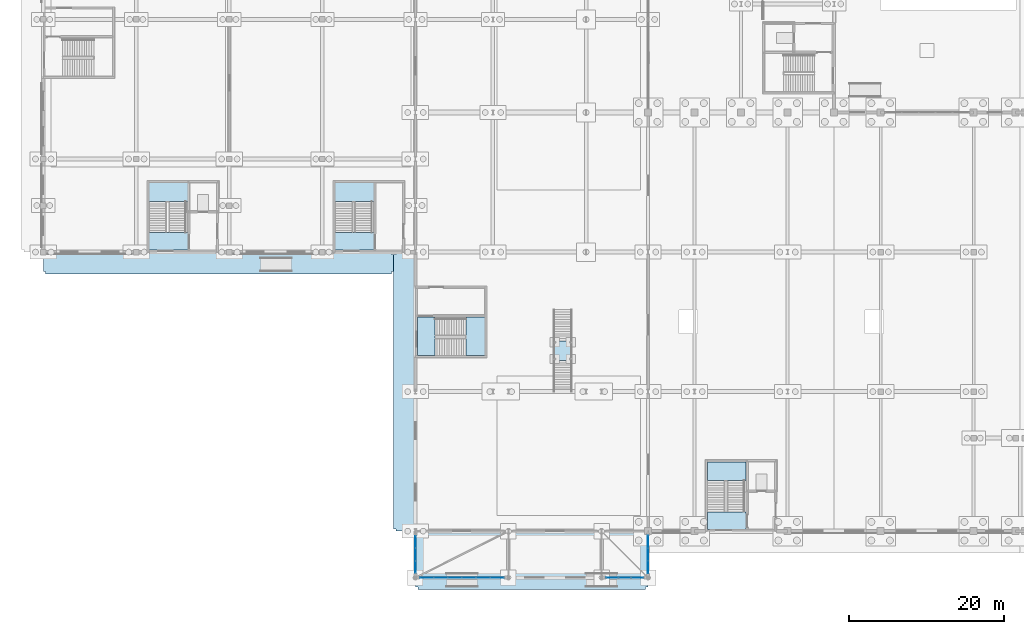
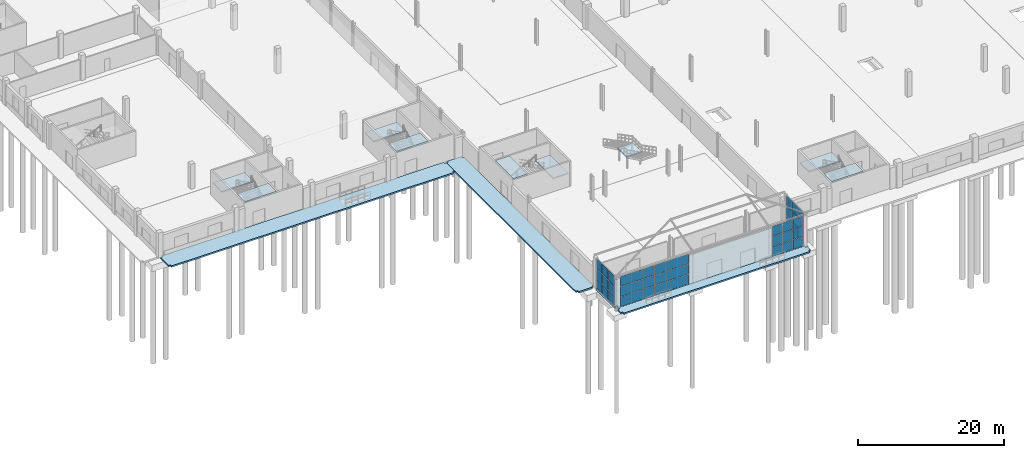
# One storey, part 47 of 77: 45 plates, 13 slabs, 9 elements without a shape of their own.
"""IFC4 building model written with IfcOpenShell, lengths in metres."""

import ifcopenshell
import ifcopenshell.guid

model = None  # the IFC model being written
_history = None  # IfcOwnerHistory: only IFC2X3 demands one
_inside = {}  # id of a spatial element -> (the spatial element, [elements in it])
_under = {}  # id of a project, library or spatial element -> (it, [spatial elements below it])
_declared = {}  # id of a project -> (the project, [libraries it declares])
_typed = {}  # id of a type object -> (the type object, [elements of that type])
_made_of = {}  # id of a material, layer set ... -> (it, [elements and type objects made of it])


def new_model(schema):
    """Start an empty IFC model of exactly this schema.

    Asked for "IFC4X3", IfcOpenShell would pick the latest addendum, in which some entities
    have other attributes; the version numbers below select the first issue.
    IFC2X3 requires an IfcOwnerHistory on every rooted entity: one is made here for all.
    """
    global model, _history
    if schema == "IFC4X3":
        model = ifcopenshell.file(schema_version=(4, 3, 0, 0))
    else:
        model = ifcopenshell.file(schema=schema)
    _inside.clear()
    _under.clear()
    _declared.clear()
    _typed.clear()
    _made_of.clear()
    _history = None
    if model.schema == "IFC2X3":
        org = make("IfcOrganization", Name="unknown")
        user = make(
            "IfcPersonAndOrganization",
            ThePerson=make("IfcPerson", FamilyName="unknown"),
            TheOrganization=org,
        )
        app = make(
            "IfcApplication",
            ApplicationDeveloper=org,
            Version="unknown",
            ApplicationFullName="unknown",
            ApplicationIdentifier="unknown",
        )
        _history = make(
            "IfcOwnerHistory",
            OwningUser=user,
            OwningApplication=app,
            ChangeAction="ADDED",
            CreationDate=0,
        )
    return model


def make(cls, **values):
    """One entity of the class cls with the attributes given. An attribute that is None is left unset."""
    return model.create_entity(
        cls, **{name: value for name, value in values.items() if value is not None}
    )


def rooted(cls, **values):
    """An entity with a GlobalId (a new one), such as an element, a storey or a relation."""
    return make(cls, GlobalId=ifcopenshell.guid.new(), OwnerHistory=_history, **values)


def si_unit(unit_type, name, prefix=None):
    """IfcSIUnit, for example si_unit("LENGTHUNIT", "METRE", prefix="MILLI")."""
    return make("IfcSIUnit", UnitType=unit_type, Prefix=prefix, Name=name)


def assignment(units):
    """IfcUnitAssignment: the units of a project."""
    return None if units is None else make("IfcUnitAssignment", Units=units)


def point(xyz):
    """IfcCartesianPoint."""
    return None if xyz is None else make("IfcCartesianPoint", Coordinates=xyz)


def direction(xyz):
    """IfcDirection."""
    return None if xyz is None else make("IfcDirection", DirectionRatios=xyz)


def frame(location, z_axis=None, x_axis=None):
    """IfcAxis2Placement3D, a coordinate frame: its origin and axes. An axis left out is left unset."""
    return make(
        "IfcAxis2Placement3D",
        Location=point(location),
        Axis=direction(z_axis),
        RefDirection=direction(x_axis),
    )


def frame_2d(location, x_axis=None):
    """IfcAxis2Placement2D, a coordinate frame in the plane: its origin and x axis."""
    return make(
        "IfcAxis2Placement2D", Location=point(location), RefDirection=direction(x_axis)
    )


def origin():
    """The frame at (0, 0, 0) with its axes left unset."""
    return frame((0.0, 0.0, 0.0))


def origin_2d():
    """The frame at (0, 0) in the plane with its x axis left unset."""
    return frame_2d((0.0, 0.0))


def place(relative_to, where):
    """IfcLocalPlacement: puts the frame where relative to a parent placement (None: the world)."""
    return make(
        "IfcLocalPlacement", PlacementRelTo=relative_to, RelativePlacement=where
    )


def context(
    kind, dimensions, precision=None, world=None, true_north=None, identifier=None
):
    """IfcGeometricRepresentationContext, for example the 3D "Model" context."""
    return make(
        "IfcGeometricRepresentationContext",
        ContextIdentifier=identifier,
        ContextType=kind,
        CoordinateSpaceDimension=dimensions,
        Precision=precision,
        WorldCoordinateSystem=world,
        TrueNorth=true_north,
    )


def subcontext(parent, identifier, kind, view, scale=None):
    """IfcGeometricRepresentationSubContext, for example "Body" below "Model"."""
    return make(
        "IfcGeometricRepresentationSubContext",
        ContextIdentifier=identifier,
        ContextType=kind,
        ParentContext=parent,
        TargetScale=scale,
        TargetView=view,
    )


def project(units=None, contexts=None):
    """IfcProject with its units and contexts."""
    return rooted(
        "IfcProject",
        Name="project",
        RepresentationContexts=contexts,
        UnitsInContext=assignment(units),
    )


def spatial(cls, under=None, at=None, **own):
    """A site, building, storey or space (cls), placed at a placement, below another one or the project."""
    s = rooted(cls, ObjectPlacement=at, **own)
    if under is not None:
        _under.setdefault(under.id(), (under, []))[1].append(s)
    return s


def polyline(points):
    """IfcPolyline through the points."""
    return make("IfcPolyline", Points=[point(p) for p in points])


def profile(cls, at=None, kind="AREA", **sizes):
    """A parametric profile (cls). Its sizes go by their IFC names, for example OverallWidth=200.0."""
    return make(cls, ProfileType=kind, Position=at, **sizes)


def rectangle(**sizes):
    """IfcRectangleProfileDef."""
    return profile("IfcRectangleProfileDef", **sizes)


def outline(outer, holes=None, kind="AREA"):
    """IfcArbitraryClosedProfileDef: a profile drawn as a closed curve; with holes, ...WithVoids."""
    if holes is None:
        return make("IfcArbitraryClosedProfileDef", ProfileType=kind, OuterCurve=outer)
    return make(
        "IfcArbitraryProfileDefWithVoids",
        ProfileType=kind,
        OuterCurve=outer,
        InnerCurves=holes,
    )


def extrude(swept, where, along, depth):
    """IfcExtrudedAreaSolid: the profile swept, set in the frame where, extruded along a direction by depth."""
    return make(
        "IfcExtrudedAreaSolid",
        SweptArea=swept,
        Position=where,
        ExtrudedDirection=direction(along),
        Depth=depth,
    )


def shape(context_of_items, identifier, shape_type, items):
    """IfcShapeRepresentation: the items that make up one representation, for example the "Body"."""
    return make(
        "IfcShapeRepresentation",
        ContextOfItems=context_of_items,
        RepresentationIdentifier=identifier,
        RepresentationType=shape_type,
        Items=items,
    )


def material(Name=None, Category=None):
    """IfcMaterial."""
    return make("IfcMaterial", Name=Name, Category=Category)


def layer(
    of_material, thickness, ventilated=None, Name=None, Category=None, Priority=None
):
    """IfcMaterialLayer: one layer of a wall or slab, of a material (None: an air gap)."""
    return make(
        "IfcMaterialLayer",
        Material=of_material,
        LayerThickness=thickness,
        IsVentilated=ventilated,
        Name=Name,
        Category=Category,
        Priority=Priority,
    )


def layer_set(layers, Name=None):
    """IfcMaterialLayerSet."""
    return make("IfcMaterialLayerSet", MaterialLayers=layers, LayerSetName=Name)


def made_of(thing, what):
    """Note that an element or type object is made of a material, layer set ...; save() writes the relation."""
    if what is not None:
        _made_of.setdefault(what.id(), (what, []))[1].append(thing)
    return thing


def type_object(cls, material=None, **own):
    """A type object (cls), such as IfcWallType, which elements share."""
    return made_of(rooted(cls, **own), material)


def element(
    cls,
    number,
    at=None,
    inside=None,
    cuts=None,
    type_object=None,
    material=None,
    context=None,
    identifier="Body",
    shape_type=None,
    held_by="IfcProductDefinitionShape",
    body=None,
    shapes=None,
    **own,
):
    """One element of the class cls, such as IfcWall. Its Tag is "e" and its number.

    at: its placement. inside: the storey or other place that contains it. cuts: it is an
    opening in that element (IfcRelVoidsElement). A single representation is given by context,
    identifier, shape_type and body (its items); several are given by shapes. held_by: the class
    of the entity that holds the representations. save() writes the other relations.
    """
    e = rooted(cls, Tag="e%d" % number, ObjectPlacement=at, **own)
    if body is not None:
        shapes = [shape(context, identifier, shape_type, body)]
    if shapes is not None:
        e.Representation = make(held_by, Representations=shapes)
    if inside is not None:
        _inside.setdefault(inside.id(), (inside, []))[1].append(e)
    if cuts is not None:
        rooted(
            "IfcRelVoidsElement", RelatingBuildingElement=cuts, RelatedOpeningElement=e
        )
    if type_object is not None:
        _typed.setdefault(type_object.id(), (type_object, []))[1].append(e)
    return made_of(e, material)


def aggregate(whole, parts):
    """IfcRelAggregates: a whole, such as a stair, and the parts it consists of."""
    return rooted("IfcRelAggregates", RelatingObject=whole, RelatedObjects=parts)


def save(model, path):
    """Write the relations noted so far, then the file.

    IfcRelAggregates (storeys below a building ...), IfcRelContainedInSpatialStructure (elements
    in a storey), IfcRelDefinesByType, IfcRelAssociatesMaterial and IfcRelDeclares: one each for
    every whole, place, type object, material and project.
    """
    for whole, parts in _under.values():
        aggregate(whole, parts)
    for where, things in _inside.values():
        rooted(
            "IfcRelContainedInSpatialStructure",
            RelatedElements=things,
            RelatingStructure=where,
        )
    for kind, things in _typed.values():
        rooted("IfcRelDefinesByType", RelatedObjects=things, RelatingType=kind)
    for what, things in _made_of.values():
        rooted("IfcRelAssociatesMaterial", RelatedObjects=things, RelatingMaterial=what)
    for by, libraries in _declared.values():
        rooted("IfcRelDeclares", RelatingContext=by, RelatedDefinitions=libraries)
    model.write(path)


model = new_model("IFC4")

# Units and contexts
model_context = context("Model", 3, precision=1e-05, world=origin(), true_north=direction((0.0, 1.0)))
body_context = subcontext(model_context, "Body", "Model", "MODEL_VIEW")
ifc_project = project(units=[si_unit("LENGTHUNIT", "METRE"), si_unit("AREAUNIT", "SQUARE_METRE"), si_unit("VOLUMEUNIT", "CUBIC_METRE"), si_unit("PLANEANGLEUNIT", "RADIAN"), si_unit("MASSUNIT", "GRAM", prefix="KILO")], contexts=[model_context])

# Site, building, storey
site_placement = place(None, origin())
site = spatial("IfcSite", under=ifc_project, at=site_placement, CompositionType="ELEMENT")
building_placement = place(site_placement, origin())
building = spatial("IfcBuilding", under=site, at=building_placement, Name="Zilviju Railside Exhibition Hall", CompositionType="ELEMENT")
storey_placement = place(building_placement, origin())
storey = spatial("IfcBuildingStorey", under=building, at=storey_placement, Name="L01", CompositionType="ELEMENT", Elevation=0.0)

# Curtain wall, plates
ifc_material_1 = material(Name="Thermally broken aluminium-steel triple-glazed curtain wall", Category="steel")
ifc_layer_1 = layer(ifc_material_1, 0.179931640625)
ifc_layer_set_1 = layer_set([ifc_layer_1], Name="Thermally broken aluminium-steel triple-glazed curtain wall")
curtain_wall_type_1 = type_object("IfcCurtainWallType", Name="CW-BAY-07", PredefinedType="USERDEFINED", material=ifc_layer_set_1)
curtain_wall_1_placement = place(storey_placement, origin())
curtain_wall_1 = element("IfcCurtainWall", 1, at=curtain_wall_1_placement, inside=storey, type_object=curtain_wall_type_1, Name="Glazed Entrance Porch South Curtain Wall (48..60)", ObjectType="GLAZED CURTAIN WALL", PredefinedType="USERDEFINED")
ifc_material_2 = material(Name="Laminated acoustic double-glazed porch unit", Category="glass")
ifc_layer_2 = layer(ifc_material_2, 0.031982421875)
ifc_layer_set_2 = layer_set([ifc_layer_2], Name="Laminated acoustic double-glazed porch unit")
plate_type_1 = type_object("IfcPlateType", Name="CWP-IGU-32", PredefinedType="CURTAIN_PANEL", material=ifc_layer_set_2)
plate_1_placement = place(storey_placement, frame((58.526611328125, -6.0, 0.06005859375), z_axis=(0.0, 0.0, 1.0), x_axis=(-1.0, 0.0, 0.0)))
plate_1 = element("IfcPlate", 2, at=plate_1_placement, type_object=plate_type_1, Name="CW-07 panel 1.1", PredefinedType="CURTAIN_PANEL", context=body_context, shape_type="SweptSolid", body=[
    extrude(rectangle(XDim=1.7265625, YDim=0.031982421875, at=origin_2d()), origin(), (0.0, 0.0, 1.0), 1.626953125),
])
plate_2_placement = place(storey_placement, frame((58.526611328125, -6.0, 1.7470703125), z_axis=(0.0, 0.0, 1.0), x_axis=(-1.0, 0.0, 0.0)))
plate_2 = element("IfcPlate", 3, at=plate_2_placement, type_object=plate_type_1, Name="CW-07 panel 1.2", PredefinedType="CURTAIN_PANEL", context=body_context, shape_type="SweptSolid", body=[
    extrude(rectangle(XDim=1.7265625, YDim=0.031982421875, at=origin_2d()), origin(), (0.0, 0.0, 1.0), 1.656005859375),
])
plate_3_placement = place(storey_placement, frame((58.526611328125, -6.0, 3.463134765625), z_axis=(0.0, 0.0, 1.0), x_axis=(-1.0, 0.0, 0.0)))
plate_3 = element("IfcPlate", 4, at=plate_3_placement, type_object=plate_type_1, Name="CW-07 panel 1.3", PredefinedType="CURTAIN_PANEL", context=body_context, shape_type="SweptSolid", body=[
    extrude(rectangle(XDim=1.7265625, YDim=0.031982421875, at=origin_2d()), origin(), (0.0, 0.0, 1.0), 1.626953125),
])
plate_4_placement = place(storey_placement, frame((56.72509765625, -6.0, 0.06005859375), z_axis=(0.0, 0.0, 1.0), x_axis=(-1.0, 0.0, 0.0)))
plate_4 = element("IfcPlate", 5, at=plate_4_placement, type_object=plate_type_1, Name="CW-07 panel 2.1", PredefinedType="CURTAIN_PANEL", context=body_context, shape_type="SweptSolid", body=[
    extrude(rectangle(XDim=1.756591796875, YDim=0.031982421875, at=origin_2d()), origin(), (0.0, 0.0, 1.0), 1.626953125),
])
plate_5_placement = place(storey_placement, frame((56.72509765625, -6.0, 1.7470703125), z_axis=(0.0, 0.0, 1.0), x_axis=(-1.0, 0.0, 0.0)))
plate_5 = element("IfcPlate", 6, at=plate_5_placement, type_object=plate_type_1, Name="CW-07 panel 2.2", PredefinedType="CURTAIN_PANEL", context=body_context, shape_type="SweptSolid", body=[
    extrude(rectangle(XDim=1.756591796875, YDim=0.031982421875, at=origin_2d()), origin(), (0.0, 0.0, 1.0), 1.656005859375),
])
plate_6_placement = place(storey_placement, frame((56.72509765625, -6.0, 3.463134765625), z_axis=(0.0, 0.0, 1.0), x_axis=(-1.0, 0.0, 0.0)))
plate_6 = element("IfcPlate", 7, at=plate_6_placement, type_object=plate_type_1, Name="CW-07 panel 2.3", PredefinedType="CURTAIN_PANEL", context=body_context, shape_type="SweptSolid", body=[
    extrude(rectangle(XDim=1.756591796875, YDim=0.031982421875, at=origin_2d()), origin(), (0.0, 0.0, 1.0), 1.626953125),
])
plate_7_placement = place(storey_placement, frame((54.908447265625, -6.0, 0.06005859375), z_axis=(0.0, 0.0, 1.0), x_axis=(-1.0, 0.0, 0.0)))
plate_7 = element("IfcPlate", 8, at=plate_7_placement, type_object=plate_type_1, Name="CW-07 panel 3.1", PredefinedType="CURTAIN_PANEL", context=body_context, shape_type="SweptSolid", body=[
    extrude(rectangle(XDim=1.756591796875, YDim=0.031982421875, at=origin_2d()), origin(), (0.0, 0.0, 1.0), 1.626953125),
])
plate_8_placement = place(storey_placement, frame((54.908447265625, -6.0, 1.7470703125), z_axis=(0.0, 0.0, 1.0), x_axis=(-1.0, 0.0, 0.0)))
plate_8 = element("IfcPlate", 9, at=plate_8_placement, type_object=plate_type_1, Name="CW-07 panel 3.2", PredefinedType="CURTAIN_PANEL", context=body_context, shape_type="SweptSolid", body=[
    extrude(rectangle(XDim=1.756591796875, YDim=0.031982421875, at=origin_2d()), origin(), (0.0, 0.0, 1.0), 1.656005859375),
])
plate_9_placement = place(storey_placement, frame((54.908447265625, -6.0, 3.463134765625), z_axis=(0.0, 0.0, 1.0), x_axis=(-1.0, 0.0, 0.0)))
plate_9 = element("IfcPlate", 10, at=plate_9_placement, type_object=plate_type_1, Name="CW-07 panel 3.3", PredefinedType="CURTAIN_PANEL", context=body_context, shape_type="SweptSolid", body=[
    extrude(rectangle(XDim=1.756591796875, YDim=0.031982421875, at=origin_2d()), origin(), (0.0, 0.0, 1.0), 1.626953125),
])
plate_10_placement = place(storey_placement, frame((53.091552734375, -6.0, 0.06005859375), z_axis=(0.0, 0.0, 1.0), x_axis=(-1.0, 0.0, 0.0)))
plate_10 = element("IfcPlate", 11, at=plate_10_placement, type_object=plate_type_1, Name="CW-07 panel 4.1", PredefinedType="CURTAIN_PANEL", context=body_context, shape_type="SweptSolid", body=[
    extrude(rectangle(XDim=1.756591796875, YDim=0.031982421875, at=origin_2d()), origin(), (0.0, 0.0, 1.0), 1.626953125),
])
plate_11_placement = place(storey_placement, frame((53.091552734375, -6.0, 1.7470703125), z_axis=(0.0, 0.0, 1.0), x_axis=(-1.0, 0.0, 0.0)))
plate_11 = element("IfcPlate", 12, at=plate_11_placement, type_object=plate_type_1, Name="CW-07 panel 4.2", PredefinedType="CURTAIN_PANEL", context=body_context, shape_type="SweptSolid", body=[
    extrude(rectangle(XDim=1.756591796875, YDim=0.031982421875, at=origin_2d()), origin(), (0.0, 0.0, 1.0), 1.656005859375),
])
plate_12_placement = place(storey_placement, frame((53.091552734375, -6.0, 3.463134765625), z_axis=(0.0, 0.0, 1.0), x_axis=(-1.0, 0.0, 0.0)))
plate_12 = element("IfcPlate", 13, at=plate_12_placement, type_object=plate_type_1, Name="CW-07 panel 4.3", PredefinedType="CURTAIN_PANEL", context=body_context, shape_type="SweptSolid", body=[
    extrude(rectangle(XDim=1.756591796875, YDim=0.031982421875, at=origin_2d()), origin(), (0.0, 0.0, 1.0), 1.626953125),
])
plate_13_placement = place(storey_placement, frame((51.27490234375, -6.0, 0.06005859375), z_axis=(0.0, 0.0, 1.0), x_axis=(-1.0, 0.0, 0.0)))
plate_13 = element("IfcPlate", 14, at=plate_13_placement, type_object=plate_type_1, Name="CW-07 panel 5.1", PredefinedType="CURTAIN_PANEL", context=body_context, shape_type="SweptSolid", body=[
    extrude(rectangle(XDim=1.756591796875, YDim=0.031982421875, at=origin_2d()), origin(), (0.0, 0.0, 1.0), 1.626953125),
])
plate_14_placement = place(storey_placement, frame((51.27490234375, -6.0, 1.7470703125), z_axis=(0.0, 0.0, 1.0), x_axis=(-1.0, 0.0, 0.0)))
plate_14 = element("IfcPlate", 15, at=plate_14_placement, type_object=plate_type_1, Name="CW-07 panel 5.2", PredefinedType="CURTAIN_PANEL", context=body_context, shape_type="SweptSolid", body=[
    extrude(rectangle(XDim=1.756591796875, YDim=0.031982421875, at=origin_2d()), origin(), (0.0, 0.0, 1.0), 1.656005859375),
])
plate_15_placement = place(storey_placement, frame((51.27490234375, -6.0, 3.463134765625), z_axis=(0.0, 0.0, 1.0), x_axis=(-1.0, 0.0, 0.0)))
plate_15 = element("IfcPlate", 16, at=plate_15_placement, type_object=plate_type_1, Name="CW-07 panel 5.3", PredefinedType="CURTAIN_PANEL", context=body_context, shape_type="SweptSolid", body=[
    extrude(rectangle(XDim=1.756591796875, YDim=0.031982421875, at=origin_2d()), origin(), (0.0, 0.0, 1.0), 1.626953125),
])
plate_16_placement = place(storey_placement, frame((49.473388671875, -6.0, 0.06005859375), z_axis=(0.0, 0.0, 1.0), x_axis=(-1.0, 0.0, 0.0)))
plate_16 = element("IfcPlate", 17, at=plate_16_placement, type_object=plate_type_1, Name="CW-07 panel 6.1", PredefinedType="CURTAIN_PANEL", context=body_context, shape_type="SweptSolid", body=[
    extrude(rectangle(XDim=1.7265625, YDim=0.031982421875, at=origin_2d()), origin(), (0.0, 0.0, 1.0), 1.626953125),
])
plate_17_placement = place(storey_placement, frame((49.473388671875, -6.0, 1.7470703125), z_axis=(0.0, 0.0, 1.0), x_axis=(-1.0, 0.0, 0.0)))
plate_17 = element("IfcPlate", 18, at=plate_17_placement, type_object=plate_type_1, Name="CW-07 panel 6.2", PredefinedType="CURTAIN_PANEL", context=body_context, shape_type="SweptSolid", body=[
    extrude(rectangle(XDim=1.7265625, YDim=0.031982421875, at=origin_2d()), origin(), (0.0, 0.0, 1.0), 1.656005859375),
])
plate_18_placement = place(storey_placement, frame((49.473388671875, -6.0, 3.463134765625), z_axis=(0.0, 0.0, 1.0), x_axis=(-1.0, 0.0, 0.0)))
plate_18 = element("IfcPlate", 19, at=plate_18_placement, type_object=plate_type_1, Name="CW-07 panel 6.3", PredefinedType="CURTAIN_PANEL", context=body_context, shape_type="SweptSolid", body=[
    extrude(rectangle(XDim=1.7265625, YDim=0.031982421875, at=origin_2d()), origin(), (0.0, 0.0, 1.0), 1.626953125),
])
aggregate(curtain_wall_1, [plate_1, plate_2, plate_3, plate_4, plate_5, plate_6, plate_7, plate_8, plate_9, plate_10, plate_11, plate_12, plate_13, plate_14, plate_15, plate_16, plate_17, plate_18])

ifc_layer_3 = layer(ifc_material_1, 0.179931640625)
ifc_layer_set_3 = layer_set([ifc_layer_3], Name="Thermally broken aluminium-steel triple-glazed curtain wall")
curtain_wall_type_2 = type_object("IfcCurtainWallType", Name="CW-BAY-10", PredefinedType="USERDEFINED", material=ifc_layer_set_3)
curtain_wall_2_placement = place(storey_placement, origin())
curtain_wall_2 = element("IfcCurtainWall", 20, at=curtain_wall_2_placement, inside=storey, type_object=curtain_wall_type_2, Name="Glazed Entrance Porch East Curtain Wall", ObjectType="GLAZED CURTAIN WALL", PredefinedType="USERDEFINED")
ifc_material_3 = material(Name="Triple-glazed low-E argon insulating glass unit", Category="glass")
ifc_layer_4 = layer(ifc_material_3, 0.0439453125)
ifc_layer_set_4 = layer_set([ifc_layer_4], Name="Triple-glazed low-E argon insulating glass unit")
plate_type_2 = type_object("IfcPlateType", Name="CWP-IGU-44", PredefinedType="CURTAIN_PANEL", material=ifc_layer_set_4)
plate_19_placement = place(storey_placement, frame((78.0, -1.38037109375, 0.05517578125), z_axis=(0.0, 0.0, 1.0), x_axis=(0.0, -1.0, 0.0)))
plate_19 = element("IfcPlate", 21, at=plate_19_placement, type_object=plate_type_2, Name="CW-10 panel 1.1", PredefinedType="CURTAIN_PANEL", context=body_context, shape_type="SweptSolid", body=[
    extrude(rectangle(XDim=1.55078125, YDim=0.0439453125, at=origin_2d()), origin(), (0.0, 0.0, 1.0), 1.634521484375),
])
plate_20_placement = place(storey_placement, frame((78.0, -1.38037109375, 1.74462890625), z_axis=(0.0, 0.0, 1.0), x_axis=(0.0, -1.0, 0.0)))
plate_20 = element("IfcPlate", 22, at=plate_20_placement, type_object=plate_type_2, Name="CW-10 panel 1.2", PredefinedType="CURTAIN_PANEL", context=body_context, shape_type="SweptSolid", body=[
    extrude(rectangle(XDim=1.55078125, YDim=0.0439453125, at=origin_2d()), origin(), (0.0, 0.0, 1.0), 1.660888671875),
])
plate_21_placement = place(storey_placement, frame((78.0, -1.38037109375, 3.46044921875), z_axis=(0.0, 0.0, 1.0), x_axis=(0.0, -1.0, 0.0)))
plate_21 = element("IfcPlate", 23, at=plate_21_placement, type_object=plate_type_2, Name="CW-10 panel 1.3", PredefinedType="CURTAIN_PANEL", context=body_context, shape_type="SweptSolid", body=[
    extrude(rectangle(XDim=1.55078125, YDim=0.0439453125, at=origin_2d()), origin(), (0.0, 0.0, 1.0), 1.634521484375),
])
plate_22_placement = place(storey_placement, frame((78.0, -3.0, 0.05517578125), z_axis=(0.0, 0.0, 1.0), x_axis=(0.0, -1.0, 0.0)))
plate_22 = element("IfcPlate", 24, at=plate_22_placement, type_object=plate_type_2, Name="CW-10 panel 2.1", PredefinedType="CURTAIN_PANEL", context=body_context, shape_type="SweptSolid", body=[
    extrude(rectangle(XDim=1.578369140625, YDim=0.0439453125, at=origin_2d()), origin(), (0.0, 0.0, 1.0), 1.634521484375),
])
plate_23_placement = place(storey_placement, frame((78.0, -3.0, 1.74462890625), z_axis=(0.0, 0.0, 1.0), x_axis=(0.0, -1.0, 0.0)))
plate_23 = element("IfcPlate", 25, at=plate_23_placement, type_object=plate_type_2, Name="CW-10 panel 2.2", PredefinedType="CURTAIN_PANEL", context=body_context, shape_type="SweptSolid", body=[
    extrude(rectangle(XDim=1.578369140625, YDim=0.0439453125, at=origin_2d()), origin(), (0.0, 0.0, 1.0), 1.660888671875),
])
plate_24_placement = place(storey_placement, frame((78.0, -3.0, 3.46044921875), z_axis=(0.0, 0.0, 1.0), x_axis=(0.0, -1.0, 0.0)))
plate_24 = element("IfcPlate", 26, at=plate_24_placement, type_object=plate_type_2, Name="CW-10 panel 2.3", PredefinedType="CURTAIN_PANEL", context=body_context, shape_type="SweptSolid", body=[
    extrude(rectangle(XDim=1.578369140625, YDim=0.0439453125, at=origin_2d()), origin(), (0.0, 0.0, 1.0), 1.634521484375),
])
plate_25_placement = place(storey_placement, frame((78.0, -4.61962890625, 0.05517578125), z_axis=(0.0, 0.0, 1.0), x_axis=(0.0, -1.0, 0.0)))
plate_25 = element("IfcPlate", 27, at=plate_25_placement, type_object=plate_type_2, Name="CW-10 panel 3.1", PredefinedType="CURTAIN_PANEL", context=body_context, shape_type="SweptSolid", body=[
    extrude(rectangle(XDim=1.55078125, YDim=0.0439453125, at=origin_2d()), origin(), (0.0, 0.0, 1.0), 1.634521484375),
])
plate_26_placement = place(storey_placement, frame((78.0, -4.61962890625, 1.74462890625), z_axis=(0.0, 0.0, 1.0), x_axis=(0.0, -1.0, 0.0)))
plate_26 = element("IfcPlate", 28, at=plate_26_placement, type_object=plate_type_2, Name="CW-10 panel 3.2", PredefinedType="CURTAIN_PANEL", context=body_context, shape_type="SweptSolid", body=[
    extrude(rectangle(XDim=1.55078125, YDim=0.0439453125, at=origin_2d()), origin(), (0.0, 0.0, 1.0), 1.660888671875),
])
plate_27_placement = place(storey_placement, frame((78.0, -4.61962890625, 3.46044921875), z_axis=(0.0, 0.0, 1.0), x_axis=(0.0, -1.0, 0.0)))
plate_27 = element("IfcPlate", 29, at=plate_27_placement, type_object=plate_type_2, Name="CW-10 panel 3.3", PredefinedType="CURTAIN_PANEL", context=body_context, shape_type="SweptSolid", body=[
    extrude(rectangle(XDim=1.55078125, YDim=0.0439453125, at=origin_2d()), origin(), (0.0, 0.0, 1.0), 1.634521484375),
])
aggregate(curtain_wall_2, [plate_19, plate_20, plate_21, plate_22, plate_23, plate_24, plate_25, plate_26, plate_27])

ifc_layer_5 = layer(ifc_material_1, 0.179931640625)
ifc_layer_set_5 = layer_set([ifc_layer_5], Name="Thermally broken aluminium-steel triple-glazed curtain wall")
curtain_wall_type_3 = type_object("IfcCurtainWallType", Name="CW-BAY-08", PredefinedType="USERDEFINED", material=ifc_layer_set_5)
curtain_wall_3_placement = place(storey_placement, origin())
curtain_wall_3 = element("IfcCurtainWall", 30, at=curtain_wall_3_placement, inside=storey, type_object=curtain_wall_type_3, Name="Glazed Entrance Porch South Curtain Wall (72..78)", ObjectType="GLAZED CURTAIN WALL", PredefinedType="USERDEFINED")
ifc_material_4 = material(Name="Insulated cobalt-blue enamelled spandrel glass panel", Category="glass")
ifc_layer_6 = layer(ifc_material_4, 0.052001953125)
ifc_layer_set_6 = layer_set([ifc_layer_6], Name="Insulated cobalt-blue enamelled spandrel glass panel")
plate_type_3 = type_object("IfcPlateType", Name="CWP-SPD-52", PredefinedType="CURTAIN_PANEL", material=ifc_layer_set_6)
plate_28_placement = place(storey_placement, frame((76.61328125, -6.0, 0.080078125), z_axis=(0.0, 0.0, 1.0), x_axis=(-1.0, 0.0, 0.0)))
plate_28 = element("IfcPlate", 31, at=plate_28_placement, type_object=plate_type_3, Name="CW-08 panel 1.1", PredefinedType="CURTAIN_PANEL", context=body_context, shape_type="SweptSolid", body=[
    extrude(rectangle(XDim=1.513427734375, YDim=0.052001953125, at=origin_2d()), origin(), (0.0, 0.0, 1.0), 1.596923828125),
])
plate_29_placement = place(storey_placement, frame((76.61328125, -6.0, 1.7568359375), z_axis=(0.0, 0.0, 1.0), x_axis=(-1.0, 0.0, 0.0)))
plate_29 = element("IfcPlate", 32, at=plate_29_placement, type_object=plate_type_3, Name="CW-08 panel 1.2", PredefinedType="CURTAIN_PANEL", context=body_context, shape_type="SweptSolid", body=[
    extrude(rectangle(XDim=1.513427734375, YDim=0.052001953125, at=origin_2d()), origin(), (0.0, 0.0, 1.0), 1.635986328125),
])
plate_30_placement = place(storey_placement, frame((76.61328125, -6.0, 3.47314453125), z_axis=(0.0, 0.0, 1.0), x_axis=(-1.0, 0.0, 0.0)))
plate_30 = element("IfcPlate", 33, at=plate_30_placement, type_object=plate_type_3, Name="CW-08 panel 1.3", PredefinedType="CURTAIN_PANEL", context=body_context, shape_type="SweptSolid", body=[
    extrude(rectangle(XDim=1.513427734375, YDim=0.052001953125, at=origin_2d()), origin(), (0.0, 0.0, 1.0), 1.596923828125),
])
plate_31_placement = place(storey_placement, frame((75.0, -6.0, 0.080078125), z_axis=(0.0, 0.0, 1.0), x_axis=(-1.0, 0.0, 0.0)))
plate_31 = element("IfcPlate", 34, at=plate_31_placement, type_object=plate_type_3, Name="CW-08 panel 2.1", PredefinedType="CURTAIN_PANEL", context=body_context, shape_type="SweptSolid", body=[
    extrude(rectangle(XDim=1.55322265625, YDim=0.052001953125, at=origin_2d()), origin(), (0.0, 0.0, 1.0), 1.596923828125),
])
plate_32_placement = place(storey_placement, frame((75.0, -6.0, 1.7568359375), z_axis=(0.0, 0.0, 1.0), x_axis=(-1.0, 0.0, 0.0)))
plate_32 = element("IfcPlate", 35, at=plate_32_placement, type_object=plate_type_3, Name="CW-08 panel 2.2", PredefinedType="CURTAIN_PANEL", context=body_context, shape_type="SweptSolid", body=[
    extrude(rectangle(XDim=1.55322265625, YDim=0.052001953125, at=origin_2d()), origin(), (0.0, 0.0, 1.0), 1.635986328125),
])
plate_33_placement = place(storey_placement, frame((75.0, -6.0, 3.47314453125), z_axis=(0.0, 0.0, 1.0), x_axis=(-1.0, 0.0, 0.0)))
plate_33 = element("IfcPlate", 36, at=plate_33_placement, type_object=plate_type_3, Name="CW-08 panel 2.3", PredefinedType="CURTAIN_PANEL", context=body_context, shape_type="SweptSolid", body=[
    extrude(rectangle(XDim=1.55322265625, YDim=0.052001953125, at=origin_2d()), origin(), (0.0, 0.0, 1.0), 1.596923828125),
])
plate_34_placement = place(storey_placement, frame((73.38671875, -6.0, 0.080078125), z_axis=(0.0, 0.0, 1.0), x_axis=(-1.0, 0.0, 0.0)))
plate_34 = element("IfcPlate", 37, at=plate_34_placement, type_object=plate_type_3, Name="CW-08 panel 3.1", PredefinedType="CURTAIN_PANEL", context=body_context, shape_type="SweptSolid", body=[
    extrude(rectangle(XDim=1.513427734375, YDim=0.052001953125, at=origin_2d()), origin(), (0.0, 0.0, 1.0), 1.596923828125),
])
plate_35_placement = place(storey_placement, frame((73.38671875, -6.0, 1.7568359375), z_axis=(0.0, 0.0, 1.0), x_axis=(-1.0, 0.0, 0.0)))
plate_35 = element("IfcPlate", 38, at=plate_35_placement, type_object=plate_type_3, Name="CW-08 panel 3.2", PredefinedType="CURTAIN_PANEL", context=body_context, shape_type="SweptSolid", body=[
    extrude(rectangle(XDim=1.513427734375, YDim=0.052001953125, at=origin_2d()), origin(), (0.0, 0.0, 1.0), 1.635986328125),
])
plate_36_placement = place(storey_placement, frame((73.38671875, -6.0, 3.47314453125), z_axis=(0.0, 0.0, 1.0), x_axis=(-1.0, 0.0, 0.0)))
plate_36 = element("IfcPlate", 39, at=plate_36_placement, type_object=plate_type_3, Name="CW-08 panel 3.3", PredefinedType="CURTAIN_PANEL", context=body_context, shape_type="SweptSolid", body=[
    extrude(rectangle(XDim=1.513427734375, YDim=0.052001953125, at=origin_2d()), origin(), (0.0, 0.0, 1.0), 1.596923828125),
])
aggregate(curtain_wall_3, [plate_28, plate_29, plate_30, plate_31, plate_32, plate_33, plate_34, plate_35, plate_36])

ifc_layer_7 = layer(ifc_material_1, 0.179931640625)
ifc_layer_set_7 = layer_set([ifc_layer_7], Name="Thermally broken aluminium-steel triple-glazed curtain wall")
curtain_wall_type_4 = type_object("IfcCurtainWallType", Name="CW-BAY-09", PredefinedType="USERDEFINED", material=ifc_layer_set_7)
curtain_wall_4_placement = place(storey_placement, origin())
curtain_wall_4 = element("IfcCurtainWall", 40, at=curtain_wall_4_placement, inside=storey, type_object=curtain_wall_type_4, Name="Glazed Entrance Porch West Curtain Wall", ObjectType="GLAZED CURTAIN WALL", PredefinedType="USERDEFINED")
ifc_material_5 = material(Name="Insulated emerald ceramic-frit spandrel panel", Category="glass")
ifc_layer_8 = layer(ifc_material_5, 0.06396484375)
ifc_layer_set_8 = layer_set([ifc_layer_8], Name="Insulated emerald ceramic-frit spandrel panel")
plate_type_4 = type_object("IfcPlateType", Name="CWP-SPD-64", PredefinedType="CURTAIN_PANEL", material=ifc_layer_set_8)
plate_37_placement = place(storey_placement, frame((48.0, -4.614501953125, 0.074951171875), z_axis=(0.0, 0.0, 1.0), x_axis=(0.0, 1.0, 0.0)))
plate_37 = element("IfcPlate", 41, at=plate_37_placement, type_object=plate_type_4, Name="CW-09 panel 1.1", PredefinedType="CURTAIN_PANEL", context=body_context, shape_type="SweptSolid", body=[
    extrude(rectangle(XDim=1.520751953125, YDim=0.06396484375, at=origin_2d()), origin(), (0.0, 0.0, 1.0), 1.6044921875),
])
plate_38_placement = place(storey_placement, frame((48.0, -4.614501953125, 1.75439453125), z_axis=(0.0, 0.0, 1.0), x_axis=(0.0, 1.0, 0.0)))
plate_38 = element("IfcPlate", 42, at=plate_38_placement, type_object=plate_type_4, Name="CW-09 panel 1.2", PredefinedType="CURTAIN_PANEL", context=body_context, shape_type="SweptSolid", body=[
    extrude(rectangle(XDim=1.520751953125, YDim=0.06396484375, at=origin_2d()), origin(), (0.0, 0.0, 1.0), 1.64111328125),
])
plate_39_placement = place(storey_placement, frame((48.0, -4.614501953125, 3.470458984375), z_axis=(0.0, 0.0, 1.0), x_axis=(0.0, 1.0, 0.0)))
plate_39 = element("IfcPlate", 43, at=plate_39_placement, type_object=plate_type_4, Name="CW-09 panel 1.3", PredefinedType="CURTAIN_PANEL", context=body_context, shape_type="SweptSolid", body=[
    extrude(rectangle(XDim=1.520751953125, YDim=0.06396484375, at=origin_2d()), origin(), (0.0, 0.0, 1.0), 1.6044921875),
])
plate_40_placement = place(storey_placement, frame((48.0, -3.0, 0.074951171875), z_axis=(0.0, 0.0, 1.0), x_axis=(0.0, 1.0, 0.0)))
plate_40 = element("IfcPlate", 44, at=plate_40_placement, type_object=plate_type_4, Name="CW-09 panel 2.1", PredefinedType="CURTAIN_PANEL", context=body_context, shape_type="SweptSolid", body=[
    extrude(rectangle(XDim=1.558349609375, YDim=0.06396484375, at=origin_2d()), origin(), (0.0, 0.0, 1.0), 1.6044921875),
])
plate_41_placement = place(storey_placement, frame((48.0, -3.0, 1.75439453125), z_axis=(0.0, 0.0, 1.0), x_axis=(0.0, 1.0, 0.0)))
plate_41 = element("IfcPlate", 45, at=plate_41_placement, type_object=plate_type_4, Name="CW-09 panel 2.2", PredefinedType="CURTAIN_PANEL", context=body_context, shape_type="SweptSolid", body=[
    extrude(rectangle(XDim=1.558349609375, YDim=0.06396484375, at=origin_2d()), origin(), (0.0, 0.0, 1.0), 1.64111328125),
])
plate_42_placement = place(storey_placement, frame((48.0, -3.0, 3.470458984375), z_axis=(0.0, 0.0, 1.0), x_axis=(0.0, 1.0, 0.0)))
plate_42 = element("IfcPlate", 46, at=plate_42_placement, type_object=plate_type_4, Name="CW-09 panel 2.3", PredefinedType="CURTAIN_PANEL", context=body_context, shape_type="SweptSolid", body=[
    extrude(rectangle(XDim=1.558349609375, YDim=0.06396484375, at=origin_2d()), origin(), (0.0, 0.0, 1.0), 1.6044921875),
])
plate_43_placement = place(storey_placement, frame((48.0, -1.385498046875, 0.074951171875), z_axis=(0.0, 0.0, 1.0), x_axis=(0.0, 1.0, 0.0)))
plate_43 = element("IfcPlate", 47, at=plate_43_placement, type_object=plate_type_4, Name="CW-09 panel 3.1", PredefinedType="CURTAIN_PANEL", context=body_context, shape_type="SweptSolid", body=[
    extrude(rectangle(XDim=1.520751953125, YDim=0.06396484375, at=origin_2d()), origin(), (0.0, 0.0, 1.0), 1.6044921875),
])
plate_44_placement = place(storey_placement, frame((48.0, -1.385498046875, 1.75439453125), z_axis=(0.0, 0.0, 1.0), x_axis=(0.0, 1.0, 0.0)))
plate_44 = element("IfcPlate", 48, at=plate_44_placement, type_object=plate_type_4, Name="CW-09 panel 3.2", PredefinedType="CURTAIN_PANEL", context=body_context, shape_type="SweptSolid", body=[
    extrude(rectangle(XDim=1.520751953125, YDim=0.06396484375, at=origin_2d()), origin(), (0.0, 0.0, 1.0), 1.64111328125),
])
plate_45_placement = place(storey_placement, frame((48.0, -1.385498046875, 3.470458984375), z_axis=(0.0, 0.0, 1.0), x_axis=(0.0, 1.0, 0.0)))
plate_45 = element("IfcPlate", 49, at=plate_45_placement, type_object=plate_type_4, Name="CW-09 panel 3.3", PredefinedType="CURTAIN_PANEL", context=body_context, shape_type="SweptSolid", body=[
    extrude(rectangle(XDim=1.520751953125, YDim=0.06396484375, at=origin_2d()), origin(), (0.0, 0.0, 1.0), 1.6044921875),
])
aggregate(curtain_wall_4, [plate_37, plate_38, plate_39, plate_40, plate_41, plate_42, plate_43, plate_44, plate_45])

# Slabs
ifc_material_6 = material(Name="Concrete C40/50", Category="concrete")
ifc_layer_9 = layer(ifc_material_6, 0.25)
ifc_layer_set_9 = layer_set([ifc_layer_9], Name="Concrete C40/50")
slab_type_1 = type_object("IfcSlabType", Name="SL-BASE-250-EXT", PredefinedType="BASESLAB", material=ifc_layer_set_9)
slab_1_placement = place(storey_placement, frame((0.0, 0.0, -0.25)))
element("IfcSlab", 50, at=slab_1_placement, inside=storey, type_object=slab_type_1, Name="South Porch Forecourt Apron", PredefinedType="BASESLAB", context=body_context, shape_type="SweptSolid", body=[
    extrude(outline(polyline([(48.300048828125, -7.5), (77.699951171875, -7.5), (77.699951171875, -7.199951171875), (78.0, -7.199951171875), (78.0, -6.300048828125), (77.699951171875, -6.300048828125), (77.699951171875, -6.0), (48.300048828125, -6.0), (48.300048828125, -6.300048828125), (48.0, -6.300048828125), (48.0, -7.199951171875), (48.300048828125, -7.199951171875), (48.300048828125, -7.5)])), origin(), (0.0, 0.0, 1.0), 0.25),
])
slab_2_placement = place(storey_placement, frame((0.0, 0.0, -0.25)))
element("IfcSlab", 51, at=slab_2_placement, inside=storey, type_object=slab_type_1, Name="Congress South Forecourt Apron", PredefinedType="BASESLAB", context=body_context, shape_type="SweptSolid", body=[
    extrude(outline(polyline([(0.300048828125, 33.199951171875), (44.89990234375, 33.199951171875), (44.89990234375, 33.5), (45.199951171875, 33.5), (45.199951171875, 35.699951171875), (44.89990234375, 35.699951171875), (44.89990234375, 36.0), (0.300048828125, 36.0), (0.300048828125, 35.699951171875), (0.0, 35.699951171875), (0.0, 33.5), (0.300048828125, 33.5), (0.300048828125, 33.199951171875)])), origin(), (0.0, 0.0, 1.0), 0.25),
])
slab_3_placement = place(storey_placement, frame((0.0, 0.0, -0.25)))
element("IfcSlab", 52, at=slab_3_placement, inside=storey, type_object=slab_type_1, Name="Concourse West Forecourt Apron", PredefinedType="BASESLAB", context=body_context, shape_type="SweptSolid", body=[
    extrude(outline(polyline([(45.5, 0.0), (47.699951171875, 0.0), (47.699951171875, 0.300048828125), (48.0, 0.300048828125), (48.0, 35.699951171875), (47.699951171875, 35.699951171875), (47.699951171875, 36.0), (45.5, 36.0), (45.5, 35.699951171875), (45.199951171875, 35.699951171875), (45.199951171875, 0.300048828125), (45.5, 0.300048828125), (45.5, 0.0)])), origin(), (0.0, 0.0, 1.0), 0.25),
])
ifc_material_7 = material(Name="Concrete C35/45", Category="concrete")
ifc_layer_10 = layer(ifc_material_7, 0.360107421875)
ifc_layer_set_10 = layer_set([ifc_layer_10], Name="Concrete C35/45")
slab_type_2 = type_object("IfcSlabType", Name="SL-BASE-360", PredefinedType="BASESLAB", material=ifc_layer_set_10)
slab_4_placement = place(storey_placement, frame((0.0, 0.0, -0.360107421875)))
element("IfcSlab", 53, at=slab_4_placement, inside=storey, type_object=slab_type_2, Name="Glazed Entrance Porch Base Slab", PredefinedType="BASESLAB", context=body_context, shape_type="SweptSolid", body=[
    extrude(outline(polyline([(48.449951171875, -6.0), (77.550048828125, -6.0), (77.550048828125, -5.550048828125), (78.0, -5.550048828125), (78.0, -0.449951171875), (77.550048828125, -0.449951171875), (77.550048828125, 0.0), (48.449951171875, 0.0), (48.449951171875, -0.449951171875), (48.0, -0.449951171875), (48.0, -5.550048828125), (48.449951171875, -5.550048828125), (48.449951171875, -6.0)])), origin(), (0.0, 0.0, 1.0), 0.360107421875),
])

# Stair, slabs
stair_type_1 = type_object("IfcStairType", Name="STAIR-ST-A", PredefinedType="HALF_TURN_STAIR", material=ifc_material_7)
stair_1_placement = place(storey_placement, origin())
stair_1 = element("IfcStair", 54, at=stair_1_placement, inside=storey, type_object=stair_type_1, Name="Core C01 South Hall West Exit Stair L01", PredefinedType="HALF_TURN_STAIR")
ifc_layer_11 = layer(ifc_material_7, 0.199951171875)
ifc_layer_set_11 = layer_set([ifc_layer_11], Name="Concrete C35/45")
slab_type_3 = type_object("IfcSlabType", Name="SL-LAND-200", PredefinedType="LANDING", material=ifc_layer_set_11)
slab_5_placement = place(storey_placement, frame((0.0, 0.0, 1.89990234375)))
slab_5 = element("IfcSlab", 55, at=slab_5_placement, type_object=slab_type_3, Name="ST-01 landing 1", PredefinedType="LANDING", context=body_context, shape_type="SweptSolid", body=[
    extrude(outline(polyline([(85.64990234375, 6.530029296875), (90.64990234375, 6.530029296875), (90.64990234375, 8.949951171875), (85.64990234375, 8.949951171875), (85.64990234375, 6.530029296875)])), origin(), (0.0, 0.0, 1.0), 0.2001953125),
])
slab_6_placement = place(storey_placement, frame((0.0, 0.0, 4.0)))
slab_6 = element("IfcSlab", 56, at=slab_6_placement, type_object=slab_type_3, Name="ST-01 landing 2", PredefinedType="LANDING", context=body_context, shape_type="SweptSolid", body=[
    extrude(outline(polyline([(85.64990234375, 0.25), (90.64990234375, 0.25), (90.64990234375, 2.5), (85.64990234375, 2.5), (85.64990234375, 0.25)])), origin(), (0.0, 0.0, 1.0), 0.199951171875),
])
aggregate(stair_1, [slab_5, slab_6])

stair_type_2 = type_object("IfcStairType", Name="STAIR-ST-B", PredefinedType="HALF_TURN_STAIR", material=ifc_material_7)
stair_2_placement = place(storey_placement, origin())
stair_2 = element("IfcStair", 57, at=stair_2_placement, inside=storey, type_object=stair_type_2, Name="Core C11 Winter Concourse Forecourt Exit Stair L01", PredefinedType="HALF_TURN_STAIR")
slab_7_placement = place(storey_placement, frame((0.0, 0.0, 1.89990234375)))
slab_7 = element("IfcSlab", 58, at=slab_7_placement, type_object=slab_type_3, Name="ST-11 landing 1", PredefinedType="LANDING", context=body_context, shape_type="SweptSolid", body=[
    extrude(outline(polyline([(54.530029296875, 22.64990234375), (54.530029296875, 27.64990234375), (56.949951171875, 27.64990234375), (56.949951171875, 22.64990234375), (54.530029296875, 22.64990234375)])), origin(), (0.0, 0.0, 1.0), 0.2001953125),
])
slab_8_placement = place(storey_placement, frame((0.0, 0.0, 4.0)))
slab_8 = element("IfcSlab", 59, at=slab_8_placement, type_object=slab_type_3, Name="ST-11 landing 2", PredefinedType="LANDING", context=body_context, shape_type="SweptSolid", body=[
    extrude(outline(polyline([(48.25, 22.64990234375), (48.25, 27.64990234375), (50.5, 27.64990234375), (50.5, 22.64990234375), (48.25, 22.64990234375)])), origin(), (0.0, 0.0, 1.0), 0.199951171875),
])
aggregate(stair_2, [slab_7, slab_8])

stair_type_3 = type_object("IfcStairType", Name="STAIR-ST-C", PredefinedType="HALF_TURN_STAIR", material=ifc_material_7)
stair_3_placement = place(storey_placement, origin())
stair_3 = element("IfcStair", 60, at=stair_3_placement, inside=storey, type_object=stair_type_3, Name="Core C12 Congress Plenary SouthW Exit Stair L01", PredefinedType="HALF_TURN_STAIR")
slab_9_placement = place(storey_placement, frame((0.0, 0.0, 1.89990234375)))
slab_9 = element("IfcSlab", 61, at=slab_9_placement, type_object=slab_type_3, Name="ST-12 landing 1", PredefinedType="LANDING", context=body_context, shape_type="SweptSolid", body=[
    extrude(outline(polyline([(13.64990234375, 42.530029296875), (18.64990234375, 42.530029296875), (18.64990234375, 44.949951171875), (13.64990234375, 44.949951171875), (13.64990234375, 42.530029296875)])), origin(), (0.0, 0.0, 1.0), 0.2001953125),
])
slab_10_placement = place(storey_placement, frame((0.0, 0.0, 4.0)))
slab_10 = element("IfcSlab", 62, at=slab_10_placement, type_object=slab_type_3, Name="ST-12 landing 2", PredefinedType="LANDING", context=body_context, shape_type="SweptSolid", body=[
    extrude(outline(polyline([(13.64990234375, 36.25), (18.64990234375, 36.25), (18.64990234375, 38.5), (13.64990234375, 38.5), (13.64990234375, 36.25)])), origin(), (0.0, 0.0, 1.0), 0.199951171875),
])
aggregate(stair_3, [slab_9, slab_10])

stair_4_placement = place(storey_placement, origin())
stair_4 = element("IfcStair", 63, at=stair_4_placement, inside=storey, type_object=stair_type_1, Name="Core C13 Congress Plenary SouthE Exit Stair L01", PredefinedType="HALF_TURN_STAIR")
slab_11_placement = place(storey_placement, frame((0.0, 0.0, 1.89990234375)))
slab_11 = element("IfcSlab", 64, at=slab_11_placement, type_object=slab_type_3, Name="ST-13 landing 1", PredefinedType="LANDING", context=body_context, shape_type="SweptSolid", body=[
    extrude(outline(polyline([(37.64990234375, 42.530029296875), (42.64990234375, 42.530029296875), (42.64990234375, 44.949951171875), (37.64990234375, 44.949951171875), (37.64990234375, 42.530029296875)])), origin(), (0.0, 0.0, 1.0), 0.2001953125),
])
slab_12_placement = place(storey_placement, frame((0.0, 0.0, 4.0)))
slab_12 = element("IfcSlab", 65, at=slab_12_placement, type_object=slab_type_3, Name="ST-13 landing 2", PredefinedType="LANDING", context=body_context, shape_type="SweptSolid", body=[
    extrude(outline(polyline([(37.64990234375, 36.25), (42.64990234375, 36.25), (42.64990234375, 38.5), (37.64990234375, 38.5), (37.64990234375, 36.25)])), origin(), (0.0, 0.0, 1.0), 0.199951171875),
])
aggregate(stair_4, [slab_11, slab_12])

# Stair, slab
stair_type_4 = type_object("IfcStairType", Name="STAIR-ST-FEAT1", PredefinedType="STRAIGHT_RUN_STAIR", material=ifc_material_7)
stair_5_placement = place(storey_placement, origin())
stair_5 = element("IfcStair", 66, at=stair_5_placement, inside=storey, type_object=stair_type_4, Name="Grand Straight Feature Stair ST-19", PredefinedType="STRAIGHT_RUN_STAIR")
slab_13_placement = place(storey_placement, frame((0.0, 0.0, 1.89990234375)))
slab_13 = element("IfcSlab", 67, at=slab_13_placement, type_object=slab_type_3, Name="ST-19 landing 1", PredefinedType="LANDING", context=body_context, shape_type="SweptSolid", body=[
    extrude(outline(polyline([(65.800048828125, 22.030029296875), (68.199951171875, 22.030029296875), (68.199951171875, 24.530029296875), (65.800048828125, 24.530029296875), (65.800048828125, 22.030029296875)])), origin(), (0.0, 0.0, 1.0), 0.2001953125),
])
aggregate(stair_5, [slab_13])

save(model, "model.ifc")
